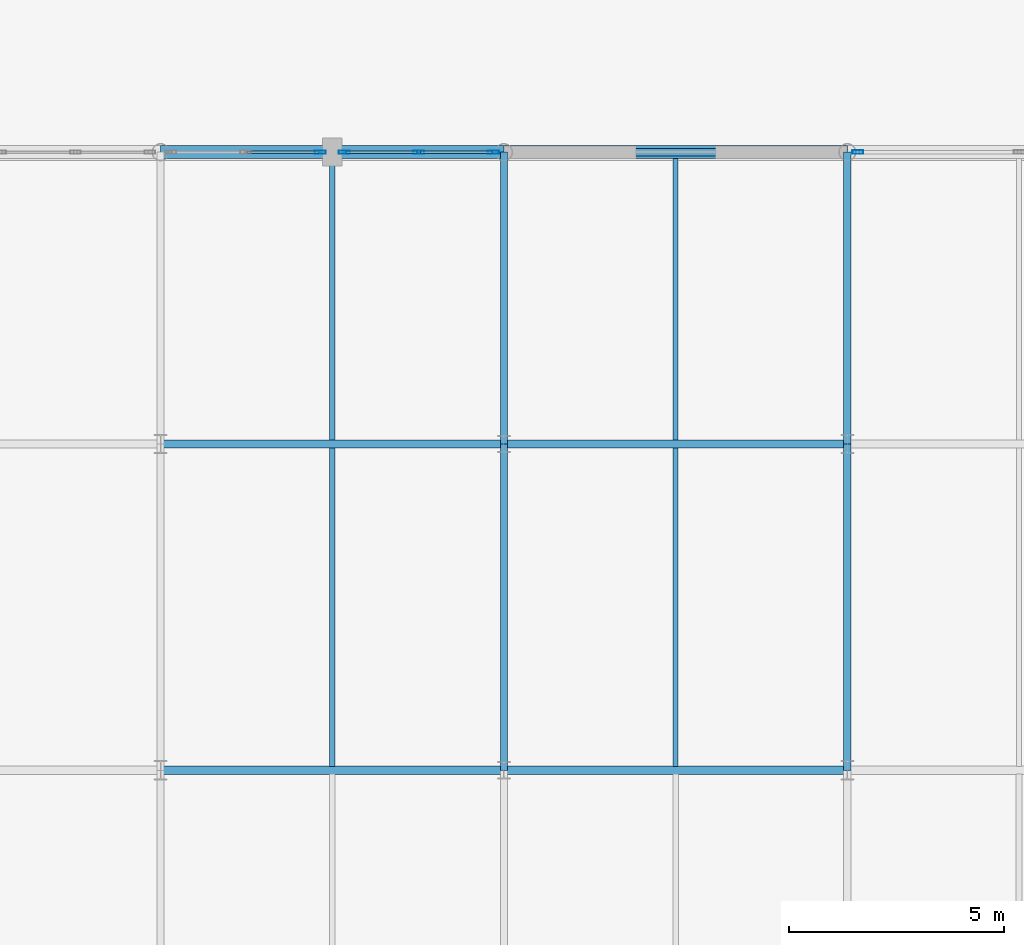
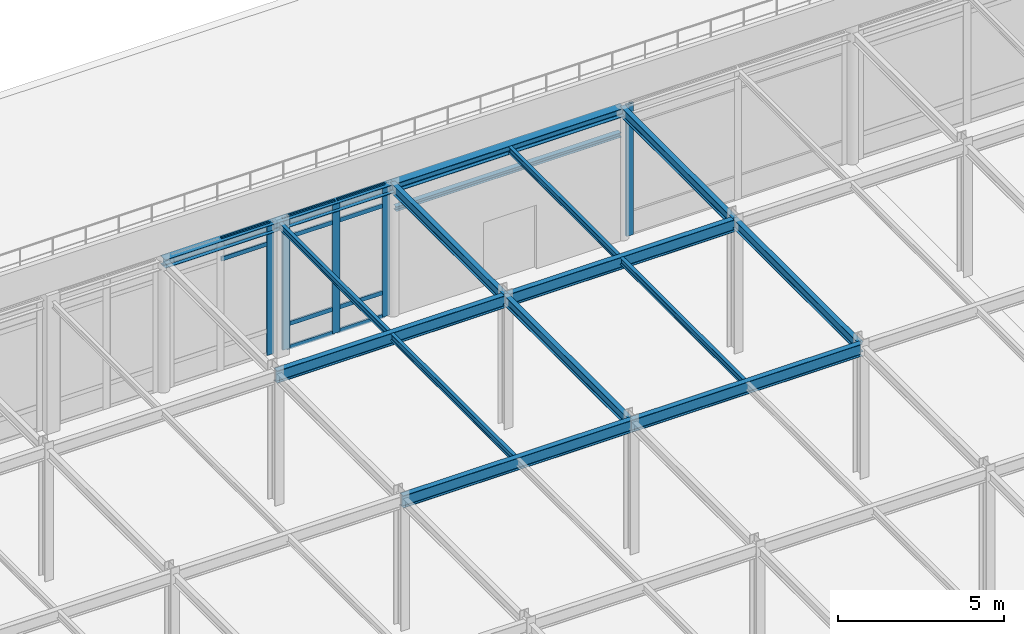
# One storey, part 48 of 113: 15 beams, 15 members, 3 elements without a shape of their own.
"""IFC4 building model written with IfcOpenShell, lengths in metres."""

from ifc_helpers import new_model, si_unit, direction, frame, origin, origin_2d, place, context, subcontext, project, spatial, hollow_rectangle, i_section, extrude, material, layer, layer_set, material_profile, profile_set, type_object, element, aggregate, save


model = new_model("IFC4")

# Units and contexts
model_context = context("Model", 3, precision=1e-05, world=origin(), true_north=direction((0.0, 1.0)))
body_context = subcontext(model_context, "Body", "Model", "MODEL_VIEW")
ifc_project = project(units=[si_unit("LENGTHUNIT", "METRE"), si_unit("AREAUNIT", "SQUARE_METRE"), si_unit("VOLUMEUNIT", "CUBIC_METRE"), si_unit("PLANEANGLEUNIT", "RADIAN"), si_unit("MASSUNIT", "GRAM", prefix="KILO")], contexts=[model_context])

# Site, building, storey
site_placement = place(None, origin())
site = spatial("IfcSite", under=ifc_project, at=site_placement, CompositionType="ELEMENT")
building_placement = place(site_placement, origin())
building = spatial("IfcBuilding", under=site, at=building_placement, Name="Shalkamar Park Central Library", CompositionType="ELEMENT")
storey_placement = place(building_placement, frame((0.0, 0.0, 5.39990234375)))
storey = spatial("IfcBuildingStorey", under=building, at=storey_placement, Name="L02", CompositionType="ELEMENT", Elevation=5.39990234375)

# Beams
ifc_material_1 = material(Name="Steel S355", Category="steel")
ifc_material_profile_1 = material_profile(ifc_material_1, i_section(OverallWidth=0.1201171875, OverallDepth=0.239990234375, WebThickness=0.006103515625, FlangeThickness=0.009765625, FilletRadius=0.014892578125, at=origin_2d()), Name="IPE 240")
ifc_profile_set_1 = profile_set([ifc_material_profile_1], Name="Steel S355")
beam_type_1 = type_object("IfcBeamType", Name="Composite Floor Joist IPE240", PredefinedType="JOIST", material=ifc_profile_set_1)
beam_1_placement = place(storey_placement, frame((201.0, 323.693115234375, 4.72998046875), z_axis=(0.0, 1.0, 0.0), x_axis=(-1.0, 0.0, 0.0)))
element("IfcBeam", 1, at=beam_1_placement, inside=storey, type_object=beam_type_1, Name="Composite Joist 11/M-1 (L02)", PredefinedType="JOIST", context=body_context, shape_type="SweptSolid", body=[
    extrude(i_section(OverallWidth=0.1201171875, OverallDepth=0.239990234375, WebThickness=0.006103515625, FlangeThickness=0.009765625, FilletRadius=0.014892578125, at=origin_2d()), origin(), (0.0, 0.0, 1.0), 7.413818359375),
])
beam_2_placement = place(storey_placement, frame((201.0, 331.29296875, 4.72998046875), z_axis=(0.0, 1.0, 0.0), x_axis=(-1.0, 0.0, 0.0)))
element("IfcBeam", 2, at=beam_2_placement, inside=storey, type_object=beam_type_1, Name="Composite Joist 11/N-1 (L02)", PredefinedType="JOIST", context=body_context, shape_type="SweptSolid", body=[
    extrude(i_section(OverallWidth=0.1201171875, OverallDepth=0.239990234375, WebThickness=0.006103515625, FlangeThickness=0.009765625, FilletRadius=0.014892578125, at=origin_2d()), origin(), (0.0, 0.0, 1.0), 6.55908203125),
])
beam_3_placement = place(storey_placement, frame((209.0, 323.693115234375, 4.72998046875), z_axis=(0.0, 1.0, 0.0), x_axis=(-1.0, 0.0, 0.0)))
element("IfcBeam", 3, at=beam_3_placement, inside=storey, type_object=beam_type_1, Name="Composite Joist 12/M-1 (L02)", PredefinedType="JOIST", context=body_context, shape_type="SweptSolid", body=[
    extrude(i_section(OverallWidth=0.1201171875, OverallDepth=0.239990234375, WebThickness=0.006103515625, FlangeThickness=0.009765625, FilletRadius=0.014892578125, at=origin_2d()), origin(), (0.0, 0.0, 1.0), 7.413818359375),
])
beam_4_placement = place(storey_placement, frame((209.0, 331.29296875, 4.72998046875), z_axis=(0.0, 1.0, 0.0), x_axis=(-1.0, 0.0, 0.0)))
element("IfcBeam", 4, at=beam_4_placement, inside=storey, type_object=beam_type_1, Name="Composite Joist 12/N-1 (L02)", PredefinedType="JOIST", context=body_context, shape_type="SweptSolid", body=[
    extrude(i_section(OverallWidth=0.1201171875, OverallDepth=0.239990234375, WebThickness=0.006103515625, FlangeThickness=0.009765625, FilletRadius=0.014892578125, at=origin_2d()), origin(), (0.0, 0.0, 1.0), 6.55908203125),
])

# Curtain wall, member
ifc_material_2 = material(Name="Thermally broken aluminium and triple low-e curtain wall", Category="aluminium")
ifc_layer_1 = layer(ifc_material_2, 0.25)
ifc_layer_set_1 = layer_set([ifc_layer_1], Name="UnitisedCurtainWall_28")
curtain_wall_type_1 = type_object("IfcCurtainWallType", Name="Unitised Curtain Wall 28", PredefinedType="USERDEFINED", material=ifc_layer_set_1)
curtain_wall_1_placement = place(storey_placement, origin())
curtain_wall_1 = element("IfcCurtainWall", 5, at=curtain_wall_1_placement, inside=storey, type_object=curtain_wall_type_1, Name="Unitised Curtain Wall CW-L02-032", ObjectType="UNITISED CURTAIN WALL", PredefinedType="USERDEFINED")
ifc_material_3 = material(Name="Aluminium 6060-T66", Category="aluminium")
ifc_material_profile_2 = material_profile(ifc_material_3, hollow_rectangle(XDim=0.074951171875, YDim=0.25, WallThickness=0.00390625, InnerFilletRadius=0.00390625, OuterFilletRadius=0.006103515625, at=origin_2d()), Name="ALU 75x250x4")
ifc_profile_set_2 = profile_set([ifc_material_profile_2], Name="Aluminium 6060-T66")
member_type_1 = type_object("IfcMemberType", Name="Curtain Wall Mullion ALU75x250", PredefinedType="MULLION", material=ifc_profile_set_2)
member_1_placement = place(storey_placement, frame((200.722412109375, 338.0, 0.0), z_axis=(0.0, 0.0, 1.0), x_axis=(0.0, 1.0, 0.0)))
member_1 = element("IfcMember", 6, at=member_1_placement, type_object=member_type_1, Name="CW-28 mullion 3", PredefinedType="MULLION", context=body_context, shape_type="SweptSolid", body=[
    extrude(hollow_rectangle(XDim=0.074951171875, YDim=0.25, WallThickness=0.00390625, InnerFilletRadius=0.00390625, OuterFilletRadius=0.006103515625, at=origin_2d()), origin(), (0.0, 0.0, 1.0), 4.85009765625),
])

# Curtain wall, members
ifc_layer_2 = layer(ifc_material_2, 0.260009765625)
ifc_layer_set_2 = layer_set([ifc_layer_2], Name="UnitisedCurtainWall_29")
curtain_wall_type_2 = type_object("IfcCurtainWallType", Name="Unitised Curtain Wall 29", PredefinedType="USERDEFINED", material=ifc_layer_set_2)
curtain_wall_2_placement = place(storey_placement, origin())
curtain_wall_2 = element("IfcCurtainWall", 7, at=curtain_wall_2_placement, inside=storey, type_object=curtain_wall_type_2, Name="Unitised Curtain Wall CW-L02-033", ObjectType="UNITISED CURTAIN WALL", PredefinedType="USERDEFINED")
ifc_material_profile_3 = material_profile(ifc_material_3, hollow_rectangle(XDim=0.074951171875, YDim=0.260009765625, WallThickness=0.00439453125, InnerFilletRadius=0.00439453125, OuterFilletRadius=0.0068359375, at=origin_2d()), Name="ALU 75x260x4.5")
ifc_profile_set_3 = profile_set([ifc_material_profile_3], Name="Aluminium 6060-T66")
member_type_2 = type_object("IfcMemberType", Name="Curtain Wall Mullion ALU75x260", PredefinedType="MULLION", material=ifc_profile_set_3)
member_2_placement = place(storey_placement, frame((201.277587890625, 338.0, 0.0), z_axis=(0.0, 0.0, 1.0), x_axis=(0.0, 1.0, 0.0)))
member_2 = element("IfcMember", 8, at=member_2_placement, type_object=member_type_2, Name="CW-29 mullion 1", PredefinedType="MULLION", context=body_context, shape_type="SweptSolid", body=[
    extrude(hollow_rectangle(XDim=0.074951171875, YDim=0.260009765625, WallThickness=0.00439453125, InnerFilletRadius=0.00439453125, OuterFilletRadius=0.0068359375, at=origin_2d()), origin(), (0.0, 0.0, 1.0), 4.85009765625),
])
member_3_placement = place(storey_placement, frame((203.016357421875, 338.0, 0.0), z_axis=(0.0, 0.0, 1.0), x_axis=(0.0, 1.0, 0.0)))
member_3 = element("IfcMember", 9, at=member_3_placement, type_object=member_type_2, Name="CW-29 mullion 2", PredefinedType="MULLION", context=body_context, shape_type="SweptSolid", body=[
    extrude(hollow_rectangle(XDim=0.074951171875, YDim=0.260009765625, WallThickness=0.00439453125, InnerFilletRadius=0.00439453125, OuterFilletRadius=0.0068359375, at=origin_2d()), origin(), (0.0, 0.0, 1.0), 4.85009765625),
])
member_4_placement = place(storey_placement, frame((204.75537109375, 338.0, 0.0), z_axis=(0.0, 0.0, 1.0), x_axis=(0.0, 1.0, 0.0)))
member_4 = element("IfcMember", 10, at=member_4_placement, type_object=member_type_2, Name="CW-29 mullion 3", PredefinedType="MULLION", context=body_context, shape_type="SweptSolid", body=[
    extrude(hollow_rectangle(XDim=0.074951171875, YDim=0.260009765625, WallThickness=0.00439453125, InnerFilletRadius=0.00439453125, OuterFilletRadius=0.0068359375, at=origin_2d()), origin(), (0.0, 0.0, 1.0), 4.85009765625),
])

# Curtain wall, member
ifc_layer_3 = layer(ifc_material_2, 0.2548828125)
ifc_layer_set_3 = layer_set([ifc_layer_3], Name="UnitisedCurtainWall_30")
curtain_wall_type_3 = type_object("IfcCurtainWallType", Name="Unitised Curtain Wall 30", PredefinedType="USERDEFINED", material=ifc_layer_set_3)
curtain_wall_3_placement = place(storey_placement, origin())
curtain_wall_3 = element("IfcCurtainWall", 11, at=curtain_wall_3_placement, inside=storey, type_object=curtain_wall_type_3, Name="Unitised Curtain Wall CW-L02-034", ObjectType="UNITISED CURTAIN WALL", PredefinedType="USERDEFINED")
ifc_material_profile_4 = material_profile(ifc_material_3, hollow_rectangle(XDim=0.080078125, YDim=0.2548828125, WallThickness=0.00439453125, InnerFilletRadius=0.00439453125, OuterFilletRadius=0.0068359375, at=origin_2d()), Name="ALU 80x255x4.5")
ifc_profile_set_4 = profile_set([ifc_material_profile_4], Name="Aluminium 6060-T66")
member_type_3 = type_object("IfcMemberType", Name="Curtain Wall Mullion ALU80x255", PredefinedType="MULLION", material=ifc_profile_set_4)
member_5_placement = place(storey_placement, frame((213.247314453125, 338.0, 0.0), z_axis=(0.0, 0.0, 1.0), x_axis=(0.0, 1.0, 0.0)))
member_5 = element("IfcMember", 12, at=member_5_placement, type_object=member_type_3, Name="CW-30 mullion 1", PredefinedType="MULLION", context=body_context, shape_type="SweptSolid", body=[
    extrude(hollow_rectangle(XDim=0.080078125, YDim=0.2548828125, WallThickness=0.00439453125, InnerFilletRadius=0.00439453125, OuterFilletRadius=0.0068359375, at=origin_2d()), origin(), (0.0, 0.0, 1.0), 4.85009765625),
])
aggregate(curtain_wall_3, [member_5])

# Member
ifc_material_profile_5 = material_profile(ifc_material_3, hollow_rectangle(XDim=0.06005859375, YDim=0.159912109375, WallThickness=0.00390625, InnerFilletRadius=0.00390625, OuterFilletRadius=0.006103515625, at=origin_2d()), Name="ALU 60x160x4")
ifc_profile_set_5 = profile_set([ifc_material_profile_5], Name="Aluminium 6060-T66")
member_type_4 = type_object("IfcMemberType", Name="Curtain Wall Transom ALU60x160", PredefinedType="USERDEFINED", material=ifc_profile_set_5)
member_6_placement = place(storey_placement, frame((199.02099609375, 338.0, 4.10009765625), z_axis=(1.0, 0.0, 0.0), x_axis=(0.0, 1.0, 0.0)))
member_6 = element("IfcMember", 13, at=member_6_placement, type_object=member_type_4, Name="CW-28 transom 2.3", ObjectType="TRANSOM", PredefinedType="USERDEFINED", context=body_context, shape_type="SweptSolid", body=[
    extrude(hollow_rectangle(XDim=0.06005859375, YDim=0.159912109375, WallThickness=0.00390625, InnerFilletRadius=0.00390625, OuterFilletRadius=0.006103515625, at=origin_2d()), origin(), (0.0, 0.0, 1.0), 1.6640625),
])

member_7_placement = place(storey_placement, frame((199.02099609375, 338.0, 4.820068359375), z_axis=(1.0, 0.0, 0.0), x_axis=(0.0, 1.0, 0.0)))
member_7 = element("IfcMember", 14, at=member_7_placement, type_object=member_type_4, Name="CW-28 transom 2.4", ObjectType="TRANSOM", PredefinedType="USERDEFINED", context=body_context, shape_type="SweptSolid", body=[
    extrude(hollow_rectangle(XDim=0.06005859375, YDim=0.159912109375, WallThickness=0.00390625, InnerFilletRadius=0.00390625, OuterFilletRadius=0.006103515625, at=origin_2d()), origin(), (0.0, 0.0, 1.0), 1.6640625),
])

aggregate(curtain_wall_1, [member_1, member_6, member_7])

ifc_material_profile_6 = material_profile(ifc_material_3, hollow_rectangle(XDim=0.06005859375, YDim=0.1650390625, WallThickness=0.00390625, InnerFilletRadius=0.00390625, OuterFilletRadius=0.006103515625, at=origin_2d()), Name="ALU 60x165x4")
ifc_profile_set_6 = profile_set([ifc_material_profile_6], Name="Aluminium 6060-T66")
member_type_5 = type_object("IfcMemberType", Name="Curtain Wall Transom ALU60x165", PredefinedType="USERDEFINED", material=ifc_profile_set_6)
member_8_placement = place(storey_placement, frame((201.31494140625, 338.0, 0.030029296875), z_axis=(1.0, 0.0, 0.0), x_axis=(0.0, 1.0, 0.0)))
member_8 = element("IfcMember", 15, at=member_8_placement, type_object=member_type_5, Name="CW-29 transom 1.1", ObjectType="TRANSOM", PredefinedType="USERDEFINED", context=body_context, shape_type="SweptSolid", body=[
    extrude(hollow_rectangle(XDim=0.06005859375, YDim=0.1650390625, WallThickness=0.00390625, InnerFilletRadius=0.00390625, OuterFilletRadius=0.006103515625, at=origin_2d()), origin(), (0.0, 0.0, 1.0), 1.6640625),
])

member_9_placement = place(storey_placement, frame((201.31494140625, 338.0, 0.900146484375), z_axis=(1.0, 0.0, 0.0), x_axis=(0.0, 1.0, 0.0)))
member_9 = element("IfcMember", 16, at=member_9_placement, type_object=member_type_5, Name="CW-29 transom 1.2", ObjectType="TRANSOM", PredefinedType="USERDEFINED", context=body_context, shape_type="SweptSolid", body=[
    extrude(hollow_rectangle(XDim=0.06005859375, YDim=0.1650390625, WallThickness=0.00390625, InnerFilletRadius=0.00390625, OuterFilletRadius=0.006103515625, at=origin_2d()), origin(), (0.0, 0.0, 1.0), 1.6640625),
])

member_10_placement = place(storey_placement, frame((201.31494140625, 338.0, 4.10009765625), z_axis=(1.0, 0.0, 0.0), x_axis=(0.0, 1.0, 0.0)))
member_10 = element("IfcMember", 17, at=member_10_placement, type_object=member_type_5, Name="CW-29 transom 1.3", ObjectType="TRANSOM", PredefinedType="USERDEFINED", context=body_context, shape_type="SweptSolid", body=[
    extrude(hollow_rectangle(XDim=0.06005859375, YDim=0.1650390625, WallThickness=0.00390625, InnerFilletRadius=0.00390625, OuterFilletRadius=0.006103515625, at=origin_2d()), origin(), (0.0, 0.0, 1.0), 1.6640625),
])

member_11_placement = place(storey_placement, frame((201.31494140625, 338.0, 4.820068359375), z_axis=(1.0, 0.0, 0.0), x_axis=(0.0, 1.0, 0.0)))
member_11 = element("IfcMember", 18, at=member_11_placement, type_object=member_type_5, Name="CW-29 transom 1.4", ObjectType="TRANSOM", PredefinedType="USERDEFINED", context=body_context, shape_type="SweptSolid", body=[
    extrude(hollow_rectangle(XDim=0.06005859375, YDim=0.1650390625, WallThickness=0.00390625, InnerFilletRadius=0.00390625, OuterFilletRadius=0.006103515625, at=origin_2d()), origin(), (0.0, 0.0, 1.0), 1.6640625),
])

member_12_placement = place(storey_placement, frame((203.053955078125, 338.0, 0.030029296875), z_axis=(1.0, 0.0, 0.0), x_axis=(0.0, 1.0, 0.0)))
member_12 = element("IfcMember", 19, at=member_12_placement, type_object=member_type_5, Name="CW-29 transom 2.1", ObjectType="TRANSOM", PredefinedType="USERDEFINED", context=body_context, shape_type="SweptSolid", body=[
    extrude(hollow_rectangle(XDim=0.06005859375, YDim=0.1650390625, WallThickness=0.00390625, InnerFilletRadius=0.00390625, OuterFilletRadius=0.006103515625, at=origin_2d()), origin(), (0.0, 0.0, 1.0), 1.663818359375),
])

member_13_placement = place(storey_placement, frame((203.053955078125, 338.0, 0.900146484375), z_axis=(1.0, 0.0, 0.0), x_axis=(0.0, 1.0, 0.0)))
member_13 = element("IfcMember", 20, at=member_13_placement, type_object=member_type_5, Name="CW-29 transom 2.2", ObjectType="TRANSOM", PredefinedType="USERDEFINED", context=body_context, shape_type="SweptSolid", body=[
    extrude(hollow_rectangle(XDim=0.06005859375, YDim=0.1650390625, WallThickness=0.00390625, InnerFilletRadius=0.00390625, OuterFilletRadius=0.006103515625, at=origin_2d()), origin(), (0.0, 0.0, 1.0), 1.663818359375),
])

member_14_placement = place(storey_placement, frame((203.053955078125, 338.0, 4.10009765625), z_axis=(1.0, 0.0, 0.0), x_axis=(0.0, 1.0, 0.0)))
member_14 = element("IfcMember", 21, at=member_14_placement, type_object=member_type_5, Name="CW-29 transom 2.3", ObjectType="TRANSOM", PredefinedType="USERDEFINED", context=body_context, shape_type="SweptSolid", body=[
    extrude(hollow_rectangle(XDim=0.06005859375, YDim=0.1650390625, WallThickness=0.00390625, InnerFilletRadius=0.00390625, OuterFilletRadius=0.006103515625, at=origin_2d()), origin(), (0.0, 0.0, 1.0), 1.663818359375),
])

member_15_placement = place(storey_placement, frame((203.053955078125, 338.0, 4.820068359375), z_axis=(1.0, 0.0, 0.0), x_axis=(0.0, 1.0, 0.0)))
member_15 = element("IfcMember", 22, at=member_15_placement, type_object=member_type_5, Name="CW-29 transom 2.4", ObjectType="TRANSOM", PredefinedType="USERDEFINED", context=body_context, shape_type="SweptSolid", body=[
    extrude(hollow_rectangle(XDim=0.06005859375, YDim=0.1650390625, WallThickness=0.00390625, InnerFilletRadius=0.00390625, OuterFilletRadius=0.006103515625, at=origin_2d()), origin(), (0.0, 0.0, 1.0), 1.663818359375),
])

aggregate(curtain_wall_2, [member_2, member_3, member_4, member_8, member_9, member_10, member_11, member_12, member_13, member_14, member_15])

# Beams
ifc_material_profile_7 = material_profile(ifc_material_1, i_section(OverallWidth=0.179931640625, OverallDepth=0.1708984375, WebThickness=0.006103515625, FlangeThickness=0.009521484375, FilletRadius=0.014892578125, at=origin_2d()), Name="HEA 180")
ifc_profile_set_7 = profile_set([ifc_material_profile_7], Name="Steel S355")
beam_type_2 = type_object("IfcBeamType", Name="Opening Lintel Beam HEA180", PredefinedType="LINTEL", material=ifc_profile_set_7)
beam_5_placement = place(storey_placement, frame((205.080078125, 338.0, 3.85009765625), z_axis=(1.0, 0.0, 0.0), x_axis=(0.0, 1.0, 0.0)))
element("IfcBeam", 23, at=beam_5_placement, inside=storey, type_object=beam_type_2, Name="Opening Lintel L02-28", PredefinedType="LINTEL", context=body_context, shape_type="SweptSolid", body=[
    extrude(i_section(OverallWidth=0.179931640625, OverallDepth=0.1708984375, WebThickness=0.006103515625, FlangeThickness=0.009521484375, FilletRadius=0.014892578125, at=origin_2d()), origin(), (0.0, 0.0, 1.0), 7.83984375),
])
ifc_material_profile_8 = material_profile(ifc_material_1, i_section(OverallWidth=0.300048828125, OverallDepth=0.31005859375, WebThickness=0.009033203125, FlangeThickness=0.015380859375, FilletRadius=0.027099609375, at=origin_2d()), Name="HEA 320")
ifc_profile_set_8 = profile_set([ifc_material_profile_8], Name="Steel S355")
beam_type_3 = type_object("IfcBeamType", Name="Perimeter Spandrel Beam HEA320", PredefinedType="SPANDREL", material=ifc_profile_set_8)
for number, where, z_axis, x_axis, name in (
    (24, (197.0, 338.0, 4.695068359375), (1.0, 0.0, 0.0), (0.0, 1.0, 0.0), "Beam P:11-12 (L02)"),
    (25, (205.0, 338.0, 4.695068359375), (1.0, 0.0, 0.0), (0.0, 1.0, 0.0), "Beam P:12-13 (L02)"),
):
    element("IfcBeam", number, at=place(storey_placement, frame(where, z_axis=z_axis, x_axis=x_axis)), inside=storey, type_object=beam_type_3, Name=name, PredefinedType="SPANDREL", context=body_context, shape_type="SweptSolid", body=[
        extrude(i_section(OverallWidth=0.300048828125, OverallDepth=0.31005859375, WebThickness=0.009033203125, FlangeThickness=0.015380859375, FilletRadius=0.027099609375, at=origin_2d()), origin(), (0.0, 0.0, 1.0), 8.0),
    ])
ifc_material_profile_9 = material_profile(ifc_material_1, i_section(OverallWidth=0.169921875, OverallDepth=0.360107421875, WebThickness=0.008056640625, FlangeThickness=0.0126953125, FilletRadius=0.01806640625, at=origin_2d()), Name="IPE 360")
ifc_profile_set_9 = profile_set([ifc_material_profile_9], Name="Steel S355")
beam_type_4 = type_object("IfcBeamType", Name="Primary Girder IPE360", PredefinedType="BEAM", material=ifc_profile_set_9)
beam_6_placement = place(storey_placement, frame((205.0, 323.60009765625, 4.670166015625), z_axis=(0.0, 1.0, 0.0), x_axis=(-1.0, 0.0, 0.0)))
element("IfcBeam", 26, at=beam_6_placement, inside=storey, type_object=beam_type_4, Name="Beam 12:M-N (L02)", PredefinedType="BEAM", context=body_context, shape_type="SweptSolid", body=[
    extrude(i_section(OverallWidth=0.169921875, OverallDepth=0.360107421875, WebThickness=0.008056640625, FlangeThickness=0.0126953125, FilletRadius=0.01806640625, at=origin_2d()), origin(), (0.0, 0.0, 1.0), 7.599853515625),
])
beam_7_placement = place(storey_placement, frame((205.0, 331.199951171875, 4.670166015625), z_axis=(0.0, 1.0, 0.0), x_axis=(-1.0, 0.0, 0.0)))
element("IfcBeam", 27, at=beam_7_placement, inside=storey, type_object=beam_type_4, Name="Beam 12:N-P (L02)", PredefinedType="BEAM", context=body_context, shape_type="SweptSolid", body=[
    extrude(i_section(OverallWidth=0.169921875, OverallDepth=0.360107421875, WebThickness=0.008056640625, FlangeThickness=0.0126953125, FilletRadius=0.01806640625, at=origin_2d()), origin(), (0.0, 0.0, 1.0), 6.800048828125),
])
beam_8_placement = place(storey_placement, frame((213.0, 323.60009765625, 4.670166015625), z_axis=(0.0, 1.0, 0.0), x_axis=(-1.0, 0.0, 0.0)))
element("IfcBeam", 28, at=beam_8_placement, inside=storey, type_object=beam_type_4, Name="Beam 13:M-N (L02)", PredefinedType="BEAM", context=body_context, shape_type="SweptSolid", body=[
    extrude(i_section(OverallWidth=0.169921875, OverallDepth=0.360107421875, WebThickness=0.008056640625, FlangeThickness=0.0126953125, FilletRadius=0.01806640625, at=origin_2d()), origin(), (0.0, 0.0, 1.0), 7.599853515625),
])
beam_9_placement = place(storey_placement, frame((213.0, 331.199951171875, 4.670166015625), z_axis=(0.0, 1.0, 0.0), x_axis=(-1.0, 0.0, 0.0)))
element("IfcBeam", 29, at=beam_9_placement, inside=storey, type_object=beam_type_4, Name="Beam 13:N-P (L02)", PredefinedType="BEAM", context=body_context, shape_type="SweptSolid", body=[
    extrude(i_section(OverallWidth=0.169921875, OverallDepth=0.360107421875, WebThickness=0.008056640625, FlangeThickness=0.0126953125, FilletRadius=0.01806640625, at=origin_2d()), origin(), (0.0, 0.0, 1.0), 6.800048828125),
])
ifc_material_profile_10 = material_profile(ifc_material_1, i_section(OverallWidth=0.18994140625, OverallDepth=0.449951171875, WebThickness=0.009521484375, FlangeThickness=0.0146484375, FilletRadius=0.02099609375, at=origin_2d()), Name="IPE 450")
ifc_profile_set_10 = profile_set([ifc_material_profile_10], Name="Steel S355")
beam_type_5 = type_object("IfcBeamType", Name="Primary Girder IPE450", PredefinedType="BEAM", material=ifc_profile_set_10)
for number, where, z_axis, x_axis, name in (
    (30, (197.0, 323.60009765625, 4.635009765625), (1.0, 0.0, 0.0), (0.0, 1.0, 0.0), "Beam M:11-12 (L02)"),
    (31, (205.0, 323.60009765625, 4.635009765625), (1.0, 0.0, 0.0), (0.0, 1.0, 0.0), "Beam M:12-13 (L02)"),
    (32, (197.0, 331.199951171875, 4.625), (1.0, 0.0, 0.0), (0.0, 1.0, 0.0), "Beam N:11-12 (L02)"),
    (33, (205.0, 331.199951171875, 4.625), (1.0, 0.0, 0.0), (0.0, 1.0, 0.0), "Beam N:12-13 (L02)"),
):
    element("IfcBeam", number, at=place(storey_placement, frame(where, z_axis=z_axis, x_axis=x_axis)), inside=storey, type_object=beam_type_5, Name=name, PredefinedType="BEAM", context=body_context, shape_type="SweptSolid", body=[
        extrude(i_section(OverallWidth=0.18994140625, OverallDepth=0.449951171875, WebThickness=0.009521484375, FlangeThickness=0.0146484375, FilletRadius=0.02099609375, at=origin_2d()), origin(), (0.0, 0.0, 1.0), 8.0),
    ])

save(model, "model.ifc")
